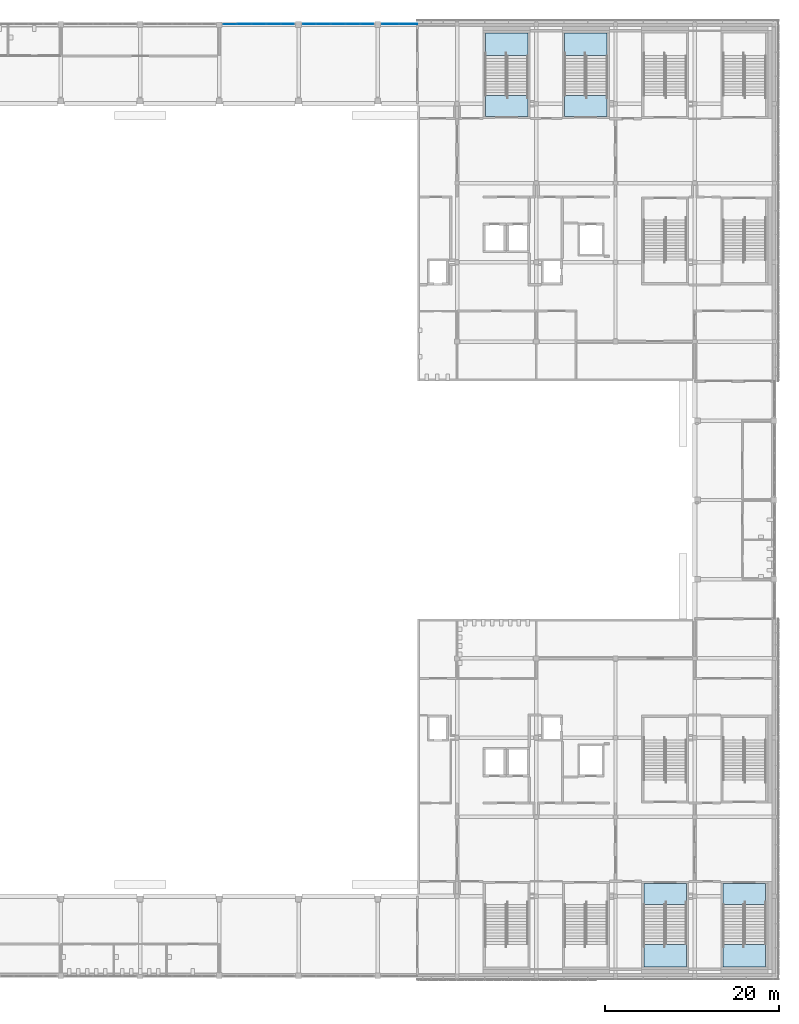
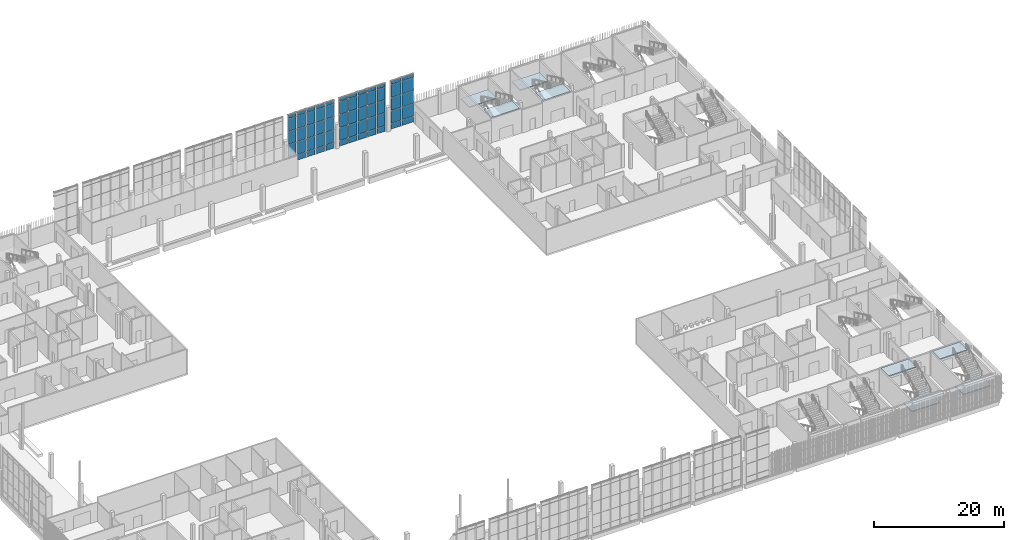
# One storey, part 37 of 91: 59 plates, 8 slabs, 7 elements without a shape of their own.
"""IFC4 building model written with IfcOpenShell, lengths in metres."""

from ifc_helpers import new_model, si_unit, direction, frame, origin, origin_2d, place, context, subcontext, project, spatial, polyline, rectangle, outline, extrude, material, layer, layer_set, type_object, element, aggregate, save


model = new_model("IFC4")

# Units and contexts
model_context = context("Model", 3, precision=1e-05, world=origin(), true_north=direction((0.0, 1.0)))
body_context = subcontext(model_context, "Body", "Model", "MODEL_VIEW")
ifc_project = project(units=[si_unit("LENGTHUNIT", "METRE"), si_unit("AREAUNIT", "SQUARE_METRE"), si_unit("VOLUMEUNIT", "CUBIC_METRE"), si_unit("PLANEANGLEUNIT", "RADIAN"), si_unit("MASSUNIT", "GRAM", prefix="KILO")], contexts=[model_context])

# Site, building, storey
site_placement = place(None, origin())
site = spatial("IfcSite", under=ifc_project, at=site_placement, CompositionType="ELEMENT")
building_placement = place(site_placement, origin())
building = spatial("IfcBuilding", under=site, at=building_placement, Name="Shirokan Park Arena", CompositionType="ELEMENT")
storey_placement = place(building_placement, frame((0.0, 0.0, 24.570068359375)))
storey = spatial("IfcBuildingStorey", under=building, at=storey_placement, Name="L05", CompositionType="ELEMENT", Elevation=24.570068359375)

# Curtain wall, plates
ifc_material_1 = material(Name="Steel and glass curtain wall", Category="steel")
ifc_layer_1 = layer(ifc_material_1, 0.199951171875)
ifc_layer_set_1 = layer_set([ifc_layer_1], Name="Steel and glass curtain wall 200 mm")
curtain_wall_type = type_object("IfcCurtainWallType", Name="Curtain wall hall bay 200", PredefinedType="NOTDEFINED", material=ifc_layer_set_1)
curtain_wall_1_placement = place(storey_placement, origin())
curtain_wall_1 = element("IfcCurtainWall", 1, at=curtain_wall_1_placement, inside=storey, type_object=curtain_wall_type, Name="Curtain wall north bay 5 L05", PredefinedType="NOTDEFINED")
ifc_material_2 = material(Name="Toughened glass", Category="glass")
ifc_layer_2 = layer(ifc_material_2, 0.012939453125, Name="Toughened glass")
ifc_material_3 = material(Name="Interlayer film")
ifc_layer_3 = layer(ifc_material_3, 0.001953125, Name="Interlayer film")
ifc_layer_4 = layer(ifc_material_2, 0.012939453125, Name="Toughened glass")
ifc_layer_set_2 = layer_set([ifc_layer_2, ifc_layer_3, ifc_layer_4], Name="Toughened glass + Interlayer film")
plate_type_1 = type_object("IfcPlateType", Name="Laminated glass panel 28", PredefinedType="CURTAIN_PANEL", material=ifc_layer_set_2)
plate_1_placement = place(storey_placement, frame((103.643798828125, 109.25, 1.1201171875), z_axis=(0.0, 0.0, 1.0), x_axis=(-1.0, 0.0, 0.0)))
plate_1 = element("IfcPlate", 2, at=plate_1_placement, type_object=plate_type_1, Name="CW5 panel 1.2", PredefinedType="CURTAIN_PANEL", context=body_context, shape_type="SweptSolid", body=[
    extrude(rectangle(XDim=2.012451171875, YDim=0.028076171875, at=origin_2d()), origin(), (0.0, 0.0, 1.0), 2.393310546875),
])
plate_2_placement = place(storey_placement, frame((103.643798828125, 109.25, 3.55322265625), z_axis=(0.0, 0.0, 1.0), x_axis=(-1.0, 0.0, 0.0)))
plate_2 = element("IfcPlate", 3, at=plate_2_placement, type_object=plate_type_1, Name="CW5 panel 1.3", PredefinedType="CURTAIN_PANEL", context=body_context, shape_type="SweptSolid", body=[
    extrude(rectangle(XDim=2.012451171875, YDim=0.028076171875, at=origin_2d()), origin(), (0.0, 0.0, 1.0), 2.393310546875),
])
plate_3_placement = place(storey_placement, frame((103.643798828125, 109.25, 5.98681640625), z_axis=(0.0, 0.0, 1.0), x_axis=(-1.0, 0.0, 0.0)))
plate_3 = element("IfcPlate", 4, at=plate_3_placement, type_object=plate_type_1, Name="CW5 panel 1.4", PredefinedType="CURTAIN_PANEL", context=body_context, shape_type="SweptSolid", body=[
    extrude(rectangle(XDim=2.012451171875, YDim=0.028076171875, at=origin_2d()), origin(), (0.0, 0.0, 1.0), 2.393310546875),
])
plate_4_placement = place(storey_placement, frame((103.643798828125, 109.25, 8.419921875), z_axis=(0.0, 0.0, 1.0), x_axis=(-1.0, 0.0, 0.0)))
plate_4 = element("IfcPlate", 5, at=plate_4_placement, type_object=plate_type_1, Name="CW5 panel 1.5", PredefinedType="CURTAIN_PANEL", context=body_context, shape_type="SweptSolid", body=[
    extrude(rectangle(XDim=2.012451171875, YDim=0.028076171875, at=origin_2d()), origin(), (0.0, 0.0, 1.0), 0.590087890625),
])
plate_5_placement = place(storey_placement, frame((101.53125, 109.25, 1.1201171875), z_axis=(0.0, 0.0, 1.0), x_axis=(-1.0, 0.0, 0.0)))
plate_5 = element("IfcPlate", 6, at=plate_5_placement, type_object=plate_type_1, Name="CW5 panel 2.2", PredefinedType="CURTAIN_PANEL", context=body_context, shape_type="SweptSolid", body=[
    extrude(rectangle(XDim=1.8125, YDim=0.028076171875, at=origin_2d()), origin(), (0.0, 0.0, 1.0), 2.393310546875),
])
plate_6_placement = place(storey_placement, frame((101.53125, 109.25, 3.55322265625), z_axis=(0.0, 0.0, 1.0), x_axis=(-1.0, 0.0, 0.0)))
plate_6 = element("IfcPlate", 7, at=plate_6_placement, type_object=plate_type_1, Name="CW5 panel 2.3", PredefinedType="CURTAIN_PANEL", context=body_context, shape_type="SweptSolid", body=[
    extrude(rectangle(XDim=1.8125, YDim=0.028076171875, at=origin_2d()), origin(), (0.0, 0.0, 1.0), 2.393310546875),
])
plate_7_placement = place(storey_placement, frame((101.53125, 109.25, 5.98681640625), z_axis=(0.0, 0.0, 1.0), x_axis=(-1.0, 0.0, 0.0)))
plate_7 = element("IfcPlate", 8, at=plate_7_placement, type_object=plate_type_1, Name="CW5 panel 2.4", PredefinedType="CURTAIN_PANEL", context=body_context, shape_type="SweptSolid", body=[
    extrude(rectangle(XDim=1.8125, YDim=0.028076171875, at=origin_2d()), origin(), (0.0, 0.0, 1.0), 2.393310546875),
])
plate_8_placement = place(storey_placement, frame((101.53125, 109.25, 8.419921875), z_axis=(0.0, 0.0, 1.0), x_axis=(-1.0, 0.0, 0.0)))
plate_8 = element("IfcPlate", 9, at=plate_8_placement, type_object=plate_type_1, Name="CW5 panel 2.5", PredefinedType="CURTAIN_PANEL", context=body_context, shape_type="SweptSolid", body=[
    extrude(rectangle(XDim=1.8125, YDim=0.028076171875, at=origin_2d()), origin(), (0.0, 0.0, 1.0), 0.590087890625),
])

curtain_wall_2_placement = place(storey_placement, origin())
curtain_wall_2 = element("IfcCurtainWall", 10, at=curtain_wall_2_placement, inside=storey, type_object=curtain_wall_type, Name="Curtain wall north bay 6 L05", PredefinedType="NOTDEFINED")
plate_9_placement = place(storey_placement, frame((98.8798828125, 109.25, 1.1201171875), z_axis=(0.0, 0.0, 1.0), x_axis=(-1.0, 0.0, 0.0)))
plate_9 = element("IfcPlate", 11, at=plate_9_placement, type_object=plate_type_1, Name="CW5 panel 1.2", PredefinedType="CURTAIN_PANEL", context=body_context, shape_type="SweptSolid", body=[
    extrude(rectangle(XDim=1.389892578125, YDim=0.028076171875, at=origin_2d()), origin(), (0.0, 0.0, 1.0), 2.393310546875),
])
plate_10_placement = place(storey_placement, frame((98.8798828125, 109.25, 3.55322265625), z_axis=(0.0, 0.0, 1.0), x_axis=(-1.0, 0.0, 0.0)))
plate_10 = element("IfcPlate", 12, at=plate_10_placement, type_object=plate_type_1, Name="CW5 panel 1.3", PredefinedType="CURTAIN_PANEL", context=body_context, shape_type="SweptSolid", body=[
    extrude(rectangle(XDim=1.389892578125, YDim=0.028076171875, at=origin_2d()), origin(), (0.0, 0.0, 1.0), 2.393310546875),
])
plate_11_placement = place(storey_placement, frame((98.8798828125, 109.25, 5.98681640625), z_axis=(0.0, 0.0, 1.0), x_axis=(-1.0, 0.0, 0.0)))
plate_11 = element("IfcPlate", 13, at=plate_11_placement, type_object=plate_type_1, Name="CW5 panel 1.4", PredefinedType="CURTAIN_PANEL", context=body_context, shape_type="SweptSolid", body=[
    extrude(rectangle(XDim=1.389892578125, YDim=0.028076171875, at=origin_2d()), origin(), (0.0, 0.0, 1.0), 2.393310546875),
])
plate_12_placement = place(storey_placement, frame((98.8798828125, 109.25, 8.419921875), z_axis=(0.0, 0.0, 1.0), x_axis=(-1.0, 0.0, 0.0)))
plate_12 = element("IfcPlate", 14, at=plate_12_placement, type_object=plate_type_1, Name="CW5 panel 1.5", PredefinedType="CURTAIN_PANEL", context=body_context, shape_type="SweptSolid", body=[
    extrude(rectangle(XDim=1.389892578125, YDim=0.028076171875, at=origin_2d()), origin(), (0.0, 0.0, 1.0), 0.590087890625),
])
plate_13_placement = place(storey_placement, frame((97.239990234375, 109.25, 1.1201171875), z_axis=(0.0, 0.0, 1.0), x_axis=(-1.0, 0.0, 0.0)))
plate_13 = element("IfcPlate", 15, at=plate_13_placement, type_object=plate_type_1, Name="CW5 panel 2.2", PredefinedType="CURTAIN_PANEL", context=body_context, shape_type="SweptSolid", body=[
    extrude(rectangle(XDim=1.489990234375, YDim=0.028076171875, at=origin_2d()), origin(), (0.0, 0.0, 1.0), 2.393310546875),
])
plate_14_placement = place(storey_placement, frame((97.239990234375, 109.25, 3.55322265625), z_axis=(0.0, 0.0, 1.0), x_axis=(-1.0, 0.0, 0.0)))
plate_14 = element("IfcPlate", 16, at=plate_14_placement, type_object=plate_type_1, Name="CW5 panel 2.3", PredefinedType="CURTAIN_PANEL", context=body_context, shape_type="SweptSolid", body=[
    extrude(rectangle(XDim=1.489990234375, YDim=0.028076171875, at=origin_2d()), origin(), (0.0, 0.0, 1.0), 2.393310546875),
])
plate_15_placement = place(storey_placement, frame((97.239990234375, 109.25, 5.98681640625), z_axis=(0.0, 0.0, 1.0), x_axis=(-1.0, 0.0, 0.0)))
plate_15 = element("IfcPlate", 17, at=plate_15_placement, type_object=plate_type_1, Name="CW5 panel 2.4", PredefinedType="CURTAIN_PANEL", context=body_context, shape_type="SweptSolid", body=[
    extrude(rectangle(XDim=1.489990234375, YDim=0.028076171875, at=origin_2d()), origin(), (0.0, 0.0, 1.0), 2.393310546875),
])
plate_16_placement = place(storey_placement, frame((97.239990234375, 109.25, 8.419921875), z_axis=(0.0, 0.0, 1.0), x_axis=(-1.0, 0.0, 0.0)))
plate_16 = element("IfcPlate", 18, at=plate_16_placement, type_object=plate_type_1, Name="CW5 panel 2.5", PredefinedType="CURTAIN_PANEL", context=body_context, shape_type="SweptSolid", body=[
    extrude(rectangle(XDim=1.489990234375, YDim=0.028076171875, at=origin_2d()), origin(), (0.0, 0.0, 1.0), 0.590087890625),
])
plate_17_placement = place(storey_placement, frame((95.550048828125, 109.25, 1.1201171875), z_axis=(0.0, 0.0, 1.0), x_axis=(-1.0, 0.0, 0.0)))
plate_17 = element("IfcPlate", 19, at=plate_17_placement, type_object=plate_type_1, Name="CW5 panel 3.2", PredefinedType="CURTAIN_PANEL", context=body_context, shape_type="SweptSolid", body=[
    extrude(rectangle(XDim=1.489990234375, YDim=0.028076171875, at=origin_2d()), origin(), (0.0, 0.0, 1.0), 2.393310546875),
])
plate_18_placement = place(storey_placement, frame((95.550048828125, 109.25, 3.55322265625), z_axis=(0.0, 0.0, 1.0), x_axis=(-1.0, 0.0, 0.0)))
plate_18 = element("IfcPlate", 20, at=plate_18_placement, type_object=plate_type_1, Name="CW5 panel 3.3", PredefinedType="CURTAIN_PANEL", context=body_context, shape_type="SweptSolid", body=[
    extrude(rectangle(XDim=1.489990234375, YDim=0.028076171875, at=origin_2d()), origin(), (0.0, 0.0, 1.0), 2.393310546875),
])
plate_19_placement = place(storey_placement, frame((95.550048828125, 109.25, 5.98681640625), z_axis=(0.0, 0.0, 1.0), x_axis=(-1.0, 0.0, 0.0)))
plate_19 = element("IfcPlate", 21, at=plate_19_placement, type_object=plate_type_1, Name="CW5 panel 3.4", PredefinedType="CURTAIN_PANEL", context=body_context, shape_type="SweptSolid", body=[
    extrude(rectangle(XDim=1.489990234375, YDim=0.028076171875, at=origin_2d()), origin(), (0.0, 0.0, 1.0), 2.393310546875),
])
plate_20_placement = place(storey_placement, frame((95.550048828125, 109.25, 8.419921875), z_axis=(0.0, 0.0, 1.0), x_axis=(-1.0, 0.0, 0.0)))
plate_20 = element("IfcPlate", 22, at=plate_20_placement, type_object=plate_type_1, Name="CW5 panel 3.5", PredefinedType="CURTAIN_PANEL", context=body_context, shape_type="SweptSolid", body=[
    extrude(rectangle(XDim=1.489990234375, YDim=0.028076171875, at=origin_2d()), origin(), (0.0, 0.0, 1.0), 0.590087890625),
])
plate_21_placement = place(storey_placement, frame((93.860107421875, 109.25, 1.1201171875), z_axis=(0.0, 0.0, 1.0), x_axis=(-1.0, 0.0, 0.0)))
plate_21 = element("IfcPlate", 23, at=plate_21_placement, type_object=plate_type_1, Name="CW5 panel 4.2", PredefinedType="CURTAIN_PANEL", context=body_context, shape_type="SweptSolid", body=[
    extrude(rectangle(XDim=1.489990234375, YDim=0.028076171875, at=origin_2d()), origin(), (0.0, 0.0, 1.0), 2.393310546875),
])
plate_22_placement = place(storey_placement, frame((93.860107421875, 109.25, 3.55322265625), z_axis=(0.0, 0.0, 1.0), x_axis=(-1.0, 0.0, 0.0)))
plate_22 = element("IfcPlate", 24, at=plate_22_placement, type_object=plate_type_1, Name="CW5 panel 4.3", PredefinedType="CURTAIN_PANEL", context=body_context, shape_type="SweptSolid", body=[
    extrude(rectangle(XDim=1.489990234375, YDim=0.028076171875, at=origin_2d()), origin(), (0.0, 0.0, 1.0), 2.393310546875),
])
plate_23_placement = place(storey_placement, frame((93.860107421875, 109.25, 5.98681640625), z_axis=(0.0, 0.0, 1.0), x_axis=(-1.0, 0.0, 0.0)))
plate_23 = element("IfcPlate", 25, at=plate_23_placement, type_object=plate_type_1, Name="CW5 panel 4.4", PredefinedType="CURTAIN_PANEL", context=body_context, shape_type="SweptSolid", body=[
    extrude(rectangle(XDim=1.489990234375, YDim=0.028076171875, at=origin_2d()), origin(), (0.0, 0.0, 1.0), 2.393310546875),
])
plate_24_placement = place(storey_placement, frame((93.860107421875, 109.25, 8.419921875), z_axis=(0.0, 0.0, 1.0), x_axis=(-1.0, 0.0, 0.0)))
plate_24 = element("IfcPlate", 26, at=plate_24_placement, type_object=plate_type_1, Name="CW5 panel 4.5", PredefinedType="CURTAIN_PANEL", context=body_context, shape_type="SweptSolid", body=[
    extrude(rectangle(XDim=1.489990234375, YDim=0.028076171875, at=origin_2d()), origin(), (0.0, 0.0, 1.0), 0.590087890625),
])
plate_25_placement = place(storey_placement, frame((92.219970703125, 109.25, 1.1201171875), z_axis=(0.0, 0.0, 1.0), x_axis=(-1.0, 0.0, 0.0)))
plate_25 = element("IfcPlate", 27, at=plate_25_placement, type_object=plate_type_1, Name="CW5 panel 5.2", PredefinedType="CURTAIN_PANEL", context=body_context, shape_type="SweptSolid", body=[
    extrude(rectangle(XDim=1.389892578125, YDim=0.028076171875, at=origin_2d()), origin(), (0.0, 0.0, 1.0), 2.393310546875),
])
plate_26_placement = place(storey_placement, frame((92.219970703125, 109.25, 3.55322265625), z_axis=(0.0, 0.0, 1.0), x_axis=(-1.0, 0.0, 0.0)))
plate_26 = element("IfcPlate", 28, at=plate_26_placement, type_object=plate_type_1, Name="CW5 panel 5.3", PredefinedType="CURTAIN_PANEL", context=body_context, shape_type="SweptSolid", body=[
    extrude(rectangle(XDim=1.389892578125, YDim=0.028076171875, at=origin_2d()), origin(), (0.0, 0.0, 1.0), 2.393310546875),
])
plate_27_placement = place(storey_placement, frame((92.219970703125, 109.25, 5.98681640625), z_axis=(0.0, 0.0, 1.0), x_axis=(-1.0, 0.0, 0.0)))
plate_27 = element("IfcPlate", 29, at=plate_27_placement, type_object=plate_type_1, Name="CW5 panel 5.4", PredefinedType="CURTAIN_PANEL", context=body_context, shape_type="SweptSolid", body=[
    extrude(rectangle(XDim=1.389892578125, YDim=0.028076171875, at=origin_2d()), origin(), (0.0, 0.0, 1.0), 2.393310546875),
])
plate_28_placement = place(storey_placement, frame((92.219970703125, 109.25, 8.419921875), z_axis=(0.0, 0.0, 1.0), x_axis=(-1.0, 0.0, 0.0)))
plate_28 = element("IfcPlate", 30, at=plate_28_placement, type_object=plate_type_1, Name="CW5 panel 5.5", PredefinedType="CURTAIN_PANEL", context=body_context, shape_type="SweptSolid", body=[
    extrude(rectangle(XDim=1.389892578125, YDim=0.028076171875, at=origin_2d()), origin(), (0.0, 0.0, 1.0), 0.590087890625),
])

curtain_wall_3_placement = place(storey_placement, origin())
curtain_wall_3 = element("IfcCurtainWall", 31, at=curtain_wall_3_placement, inside=storey, type_object=curtain_wall_type, Name="Curtain wall north bay 7 L05", PredefinedType="NOTDEFINED")
plate_29_placement = place(storey_placement, frame((89.780029296875, 109.25, 1.1201171875), z_axis=(0.0, 0.0, 1.0), x_axis=(-1.0, 0.0, 0.0)))
plate_29 = element("IfcPlate", 32, at=plate_29_placement, type_object=plate_type_1, Name="CW5 panel 1.2", PredefinedType="CURTAIN_PANEL", context=body_context, shape_type="SweptSolid", body=[
    extrude(rectangle(XDim=1.389892578125, YDim=0.028076171875, at=origin_2d()), origin(), (0.0, 0.0, 1.0), 2.393310546875),
])
plate_30_placement = place(storey_placement, frame((89.780029296875, 109.25, 3.55322265625), z_axis=(0.0, 0.0, 1.0), x_axis=(-1.0, 0.0, 0.0)))
plate_30 = element("IfcPlate", 33, at=plate_30_placement, type_object=plate_type_1, Name="CW5 panel 1.3", PredefinedType="CURTAIN_PANEL", context=body_context, shape_type="SweptSolid", body=[
    extrude(rectangle(XDim=1.389892578125, YDim=0.028076171875, at=origin_2d()), origin(), (0.0, 0.0, 1.0), 2.393310546875),
])
plate_31_placement = place(storey_placement, frame((89.780029296875, 109.25, 5.98681640625), z_axis=(0.0, 0.0, 1.0), x_axis=(-1.0, 0.0, 0.0)))
plate_31 = element("IfcPlate", 34, at=plate_31_placement, type_object=plate_type_1, Name="CW5 panel 1.4", PredefinedType="CURTAIN_PANEL", context=body_context, shape_type="SweptSolid", body=[
    extrude(rectangle(XDim=1.389892578125, YDim=0.028076171875, at=origin_2d()), origin(), (0.0, 0.0, 1.0), 2.393310546875),
])
plate_32_placement = place(storey_placement, frame((89.780029296875, 109.25, 8.419921875), z_axis=(0.0, 0.0, 1.0), x_axis=(-1.0, 0.0, 0.0)))
plate_32 = element("IfcPlate", 35, at=plate_32_placement, type_object=plate_type_1, Name="CW5 panel 1.5", PredefinedType="CURTAIN_PANEL", context=body_context, shape_type="SweptSolid", body=[
    extrude(rectangle(XDim=1.389892578125, YDim=0.028076171875, at=origin_2d()), origin(), (0.0, 0.0, 1.0), 0.590087890625),
])
plate_33_placement = place(storey_placement, frame((88.139892578125, 109.25, 1.1201171875), z_axis=(0.0, 0.0, 1.0), x_axis=(-1.0, 0.0, 0.0)))
plate_33 = element("IfcPlate", 36, at=plate_33_placement, type_object=plate_type_1, Name="CW5 panel 2.2", PredefinedType="CURTAIN_PANEL", context=body_context, shape_type="SweptSolid", body=[
    extrude(rectangle(XDim=1.489990234375, YDim=0.028076171875, at=origin_2d()), origin(), (0.0, 0.0, 1.0), 2.393310546875),
])
plate_34_placement = place(storey_placement, frame((88.139892578125, 109.25, 3.55322265625), z_axis=(0.0, 0.0, 1.0), x_axis=(-1.0, 0.0, 0.0)))
plate_34 = element("IfcPlate", 37, at=plate_34_placement, type_object=plate_type_1, Name="CW5 panel 2.3", PredefinedType="CURTAIN_PANEL", context=body_context, shape_type="SweptSolid", body=[
    extrude(rectangle(XDim=1.489990234375, YDim=0.028076171875, at=origin_2d()), origin(), (0.0, 0.0, 1.0), 2.393310546875),
])
plate_35_placement = place(storey_placement, frame((88.139892578125, 109.25, 5.98681640625), z_axis=(0.0, 0.0, 1.0), x_axis=(-1.0, 0.0, 0.0)))
plate_35 = element("IfcPlate", 38, at=plate_35_placement, type_object=plate_type_1, Name="CW5 panel 2.4", PredefinedType="CURTAIN_PANEL", context=body_context, shape_type="SweptSolid", body=[
    extrude(rectangle(XDim=1.489990234375, YDim=0.028076171875, at=origin_2d()), origin(), (0.0, 0.0, 1.0), 2.393310546875),
])
plate_36_placement = place(storey_placement, frame((88.139892578125, 109.25, 8.419921875), z_axis=(0.0, 0.0, 1.0), x_axis=(-1.0, 0.0, 0.0)))
plate_36 = element("IfcPlate", 39, at=plate_36_placement, type_object=plate_type_1, Name="CW5 panel 2.5", PredefinedType="CURTAIN_PANEL", context=body_context, shape_type="SweptSolid", body=[
    extrude(rectangle(XDim=1.489990234375, YDim=0.028076171875, at=origin_2d()), origin(), (0.0, 0.0, 1.0), 0.590087890625),
])
plate_37_placement = place(storey_placement, frame((86.449951171875, 109.25, 1.1201171875), z_axis=(0.0, 0.0, 1.0), x_axis=(-1.0, 0.0, 0.0)))
plate_37 = element("IfcPlate", 40, at=plate_37_placement, type_object=plate_type_1, Name="CW5 panel 3.2", PredefinedType="CURTAIN_PANEL", context=body_context, shape_type="SweptSolid", body=[
    extrude(rectangle(XDim=1.489990234375, YDim=0.028076171875, at=origin_2d()), origin(), (0.0, 0.0, 1.0), 2.393310546875),
])
plate_38_placement = place(storey_placement, frame((86.449951171875, 109.25, 3.55322265625), z_axis=(0.0, 0.0, 1.0), x_axis=(-1.0, 0.0, 0.0)))
plate_38 = element("IfcPlate", 41, at=plate_38_placement, type_object=plate_type_1, Name="CW5 panel 3.3", PredefinedType="CURTAIN_PANEL", context=body_context, shape_type="SweptSolid", body=[
    extrude(rectangle(XDim=1.489990234375, YDim=0.028076171875, at=origin_2d()), origin(), (0.0, 0.0, 1.0), 2.393310546875),
])
plate_39_placement = place(storey_placement, frame((86.449951171875, 109.25, 5.98681640625), z_axis=(0.0, 0.0, 1.0), x_axis=(-1.0, 0.0, 0.0)))
plate_39 = element("IfcPlate", 42, at=plate_39_placement, type_object=plate_type_1, Name="CW5 panel 3.4", PredefinedType="CURTAIN_PANEL", context=body_context, shape_type="SweptSolid", body=[
    extrude(rectangle(XDim=1.489990234375, YDim=0.028076171875, at=origin_2d()), origin(), (0.0, 0.0, 1.0), 2.393310546875),
])
plate_40_placement = place(storey_placement, frame((86.449951171875, 109.25, 8.419921875), z_axis=(0.0, 0.0, 1.0), x_axis=(-1.0, 0.0, 0.0)))
plate_40 = element("IfcPlate", 43, at=plate_40_placement, type_object=plate_type_1, Name="CW5 panel 3.5", PredefinedType="CURTAIN_PANEL", context=body_context, shape_type="SweptSolid", body=[
    extrude(rectangle(XDim=1.489990234375, YDim=0.028076171875, at=origin_2d()), origin(), (0.0, 0.0, 1.0), 0.590087890625),
])
plate_41_placement = place(storey_placement, frame((84.760009765625, 109.25, 1.1201171875), z_axis=(0.0, 0.0, 1.0), x_axis=(-1.0, 0.0, 0.0)))
plate_41 = element("IfcPlate", 44, at=plate_41_placement, type_object=plate_type_1, Name="CW5 panel 4.2", PredefinedType="CURTAIN_PANEL", context=body_context, shape_type="SweptSolid", body=[
    extrude(rectangle(XDim=1.489990234375, YDim=0.028076171875, at=origin_2d()), origin(), (0.0, 0.0, 1.0), 2.393310546875),
])
plate_42_placement = place(storey_placement, frame((84.760009765625, 109.25, 3.55322265625), z_axis=(0.0, 0.0, 1.0), x_axis=(-1.0, 0.0, 0.0)))
plate_42 = element("IfcPlate", 45, at=plate_42_placement, type_object=plate_type_1, Name="CW5 panel 4.3", PredefinedType="CURTAIN_PANEL", context=body_context, shape_type="SweptSolid", body=[
    extrude(rectangle(XDim=1.489990234375, YDim=0.028076171875, at=origin_2d()), origin(), (0.0, 0.0, 1.0), 2.393310546875),
])
plate_43_placement = place(storey_placement, frame((84.760009765625, 109.25, 5.98681640625), z_axis=(0.0, 0.0, 1.0), x_axis=(-1.0, 0.0, 0.0)))
plate_43 = element("IfcPlate", 46, at=plate_43_placement, type_object=plate_type_1, Name="CW5 panel 4.4", PredefinedType="CURTAIN_PANEL", context=body_context, shape_type="SweptSolid", body=[
    extrude(rectangle(XDim=1.489990234375, YDim=0.028076171875, at=origin_2d()), origin(), (0.0, 0.0, 1.0), 2.393310546875),
])
plate_44_placement = place(storey_placement, frame((84.760009765625, 109.25, 8.419921875), z_axis=(0.0, 0.0, 1.0), x_axis=(-1.0, 0.0, 0.0)))
plate_44 = element("IfcPlate", 47, at=plate_44_placement, type_object=plate_type_1, Name="CW5 panel 4.5", PredefinedType="CURTAIN_PANEL", context=body_context, shape_type="SweptSolid", body=[
    extrude(rectangle(XDim=1.489990234375, YDim=0.028076171875, at=origin_2d()), origin(), (0.0, 0.0, 1.0), 0.590087890625),
])
plate_45_placement = place(storey_placement, frame((83.1201171875, 109.25, 1.1201171875), z_axis=(0.0, 0.0, 1.0), x_axis=(-1.0, 0.0, 0.0)))
plate_45 = element("IfcPlate", 48, at=plate_45_placement, type_object=plate_type_1, Name="CW5 panel 5.2", PredefinedType="CURTAIN_PANEL", context=body_context, shape_type="SweptSolid", body=[
    extrude(rectangle(XDim=1.389892578125, YDim=0.028076171875, at=origin_2d()), origin(), (0.0, 0.0, 1.0), 2.393310546875),
])
plate_46_placement = place(storey_placement, frame((83.1201171875, 109.25, 3.55322265625), z_axis=(0.0, 0.0, 1.0), x_axis=(-1.0, 0.0, 0.0)))
plate_46 = element("IfcPlate", 49, at=plate_46_placement, type_object=plate_type_1, Name="CW5 panel 5.3", PredefinedType="CURTAIN_PANEL", context=body_context, shape_type="SweptSolid", body=[
    extrude(rectangle(XDim=1.389892578125, YDim=0.028076171875, at=origin_2d()), origin(), (0.0, 0.0, 1.0), 2.393310546875),
])
plate_47_placement = place(storey_placement, frame((83.1201171875, 109.25, 5.98681640625), z_axis=(0.0, 0.0, 1.0), x_axis=(-1.0, 0.0, 0.0)))
plate_47 = element("IfcPlate", 50, at=plate_47_placement, type_object=plate_type_1, Name="CW5 panel 5.4", PredefinedType="CURTAIN_PANEL", context=body_context, shape_type="SweptSolid", body=[
    extrude(rectangle(XDim=1.389892578125, YDim=0.028076171875, at=origin_2d()), origin(), (0.0, 0.0, 1.0), 2.393310546875),
])
plate_48_placement = place(storey_placement, frame((83.1201171875, 109.25, 8.419921875), z_axis=(0.0, 0.0, 1.0), x_axis=(-1.0, 0.0, 0.0)))
plate_48 = element("IfcPlate", 51, at=plate_48_placement, type_object=plate_type_1, Name="CW5 panel 5.5", PredefinedType="CURTAIN_PANEL", context=body_context, shape_type="SweptSolid", body=[
    extrude(rectangle(XDim=1.389892578125, YDim=0.028076171875, at=origin_2d()), origin(), (0.0, 0.0, 1.0), 0.590087890625),
])

# Plate
ifc_layer_5 = layer(ifc_material_2, 0.01708984375, Name="Toughened glass")
ifc_layer_6 = layer(ifc_material_3, 0.001953125, Name="Interlayer film")
ifc_layer_7 = layer(ifc_material_2, 0.01708984375, Name="Toughened glass")
ifc_layer_set_3 = layer_set([ifc_layer_5, ifc_layer_6, ifc_layer_7], Name="Toughened glass + Interlayer film")
plate_type_2 = type_object("IfcPlateType", Name="Laminated safety glass panel 36", PredefinedType="CURTAIN_PANEL", material=ifc_layer_set_3)
plate_49_placement = place(storey_placement, frame((103.643798828125, 109.25, 0.039794921875), z_axis=(0.0, 0.0, 1.0), x_axis=(-1.0, 0.0, 0.0)))
plate_49 = element("IfcPlate", 52, at=plate_49_placement, type_object=plate_type_2, Name="CW5 panel 1.1", PredefinedType="CURTAIN_PANEL", context=body_context, shape_type="SweptSolid", body=[
    extrude(rectangle(XDim=2.012451171875, YDim=0.035888671875, at=origin_2d()), origin(), (0.0, 0.0, 1.0), 1.0400390625),
])

plate_50_placement = place(storey_placement, frame((101.53125, 109.25, 0.039794921875), z_axis=(0.0, 0.0, 1.0), x_axis=(-1.0, 0.0, 0.0)))
plate_50 = element("IfcPlate", 53, at=plate_50_placement, type_object=plate_type_2, Name="CW5 panel 2.1", PredefinedType="CURTAIN_PANEL", context=body_context, shape_type="SweptSolid", body=[
    extrude(rectangle(XDim=1.8125, YDim=0.035888671875, at=origin_2d()), origin(), (0.0, 0.0, 1.0), 1.0400390625),
])

aggregate(curtain_wall_1, [plate_49, plate_1, plate_2, plate_3, plate_4, plate_50, plate_5, plate_6, plate_7, plate_8])

plate_51_placement = place(storey_placement, frame((98.8798828125, 109.25, 0.039794921875), z_axis=(0.0, 0.0, 1.0), x_axis=(-1.0, 0.0, 0.0)))
plate_51 = element("IfcPlate", 54, at=plate_51_placement, type_object=plate_type_2, Name="CW5 panel 1.1", PredefinedType="CURTAIN_PANEL", context=body_context, shape_type="SweptSolid", body=[
    extrude(rectangle(XDim=1.389892578125, YDim=0.035888671875, at=origin_2d()), origin(), (0.0, 0.0, 1.0), 1.0400390625),
])

plate_52_placement = place(storey_placement, frame((97.239990234375, 109.25, 0.039794921875), z_axis=(0.0, 0.0, 1.0), x_axis=(-1.0, 0.0, 0.0)))
plate_52 = element("IfcPlate", 55, at=plate_52_placement, type_object=plate_type_2, Name="CW5 panel 2.1", PredefinedType="CURTAIN_PANEL", context=body_context, shape_type="SweptSolid", body=[
    extrude(rectangle(XDim=1.489990234375, YDim=0.035888671875, at=origin_2d()), origin(), (0.0, 0.0, 1.0), 1.0400390625),
])

plate_53_placement = place(storey_placement, frame((95.550048828125, 109.25, 0.039794921875), z_axis=(0.0, 0.0, 1.0), x_axis=(-1.0, 0.0, 0.0)))
plate_53 = element("IfcPlate", 56, at=plate_53_placement, type_object=plate_type_2, Name="CW5 panel 3.1", PredefinedType="CURTAIN_PANEL", context=body_context, shape_type="SweptSolid", body=[
    extrude(rectangle(XDim=1.489990234375, YDim=0.035888671875, at=origin_2d()), origin(), (0.0, 0.0, 1.0), 1.0400390625),
])

plate_54_placement = place(storey_placement, frame((93.860107421875, 109.25, 0.039794921875), z_axis=(0.0, 0.0, 1.0), x_axis=(-1.0, 0.0, 0.0)))
plate_54 = element("IfcPlate", 57, at=plate_54_placement, type_object=plate_type_2, Name="CW5 panel 4.1", PredefinedType="CURTAIN_PANEL", context=body_context, shape_type="SweptSolid", body=[
    extrude(rectangle(XDim=1.489990234375, YDim=0.035888671875, at=origin_2d()), origin(), (0.0, 0.0, 1.0), 1.0400390625),
])

plate_55_placement = place(storey_placement, frame((92.219970703125, 109.25, 0.039794921875), z_axis=(0.0, 0.0, 1.0), x_axis=(-1.0, 0.0, 0.0)))
plate_55 = element("IfcPlate", 58, at=plate_55_placement, type_object=plate_type_2, Name="CW5 panel 5.1", PredefinedType="CURTAIN_PANEL", context=body_context, shape_type="SweptSolid", body=[
    extrude(rectangle(XDim=1.389892578125, YDim=0.035888671875, at=origin_2d()), origin(), (0.0, 0.0, 1.0), 1.0400390625),
])

aggregate(curtain_wall_2, [plate_51, plate_9, plate_10, plate_11, plate_12, plate_52, plate_13, plate_14, plate_15, plate_16, plate_53, plate_17, plate_18, plate_19, plate_20, plate_54, plate_21, plate_22, plate_23, plate_24, plate_55, plate_25, plate_26, plate_27, plate_28])

plate_56_placement = place(storey_placement, frame((89.780029296875, 109.25, 0.039794921875), z_axis=(0.0, 0.0, 1.0), x_axis=(-1.0, 0.0, 0.0)))
plate_56 = element("IfcPlate", 59, at=plate_56_placement, type_object=plate_type_2, Name="CW5 panel 1.1", PredefinedType="CURTAIN_PANEL", context=body_context, shape_type="SweptSolid", body=[
    extrude(rectangle(XDim=1.389892578125, YDim=0.035888671875, at=origin_2d()), origin(), (0.0, 0.0, 1.0), 1.0400390625),
])

plate_57_placement = place(storey_placement, frame((88.139892578125, 109.25, 0.039794921875), z_axis=(0.0, 0.0, 1.0), x_axis=(-1.0, 0.0, 0.0)))
plate_57 = element("IfcPlate", 60, at=plate_57_placement, type_object=plate_type_2, Name="CW5 panel 2.1", PredefinedType="CURTAIN_PANEL", context=body_context, shape_type="SweptSolid", body=[
    extrude(rectangle(XDim=1.489990234375, YDim=0.035888671875, at=origin_2d()), origin(), (0.0, 0.0, 1.0), 1.0400390625),
])

plate_58_placement = place(storey_placement, frame((86.449951171875, 109.25, 0.039794921875), z_axis=(0.0, 0.0, 1.0), x_axis=(-1.0, 0.0, 0.0)))
plate_58 = element("IfcPlate", 61, at=plate_58_placement, type_object=plate_type_2, Name="CW5 panel 3.1", PredefinedType="CURTAIN_PANEL", context=body_context, shape_type="SweptSolid", body=[
    extrude(rectangle(XDim=1.489990234375, YDim=0.035888671875, at=origin_2d()), origin(), (0.0, 0.0, 1.0), 1.0400390625),
])

plate_59_placement = place(storey_placement, frame((84.760009765625, 109.25, 0.039794921875), z_axis=(0.0, 0.0, 1.0), x_axis=(-1.0, 0.0, 0.0)))
plate_59 = element("IfcPlate", 62, at=plate_59_placement, type_object=plate_type_2, Name="CW5 panel 4.1", PredefinedType="CURTAIN_PANEL", context=body_context, shape_type="SweptSolid", body=[
    extrude(rectangle(XDim=1.489990234375, YDim=0.035888671875, at=origin_2d()), origin(), (0.0, 0.0, 1.0), 1.0400390625),
])

aggregate(curtain_wall_3, [plate_56, plate_29, plate_30, plate_31, plate_32, plate_57, plate_33, plate_34, plate_35, plate_36, plate_58, plate_37, plate_38, plate_39, plate_40, plate_59, plate_41, plate_42, plate_43, plate_44, plate_45, plate_46, plate_47, plate_48])

# Stair, slabs
ifc_material_4 = material(Name="Concrete C30 precast", Category="concrete")
stair_type = type_object("IfcStairType", Name="Stair 30 risers 152 x 327 2400 wide", PredefinedType="TWO_STRAIGHT_RUN_STAIR", material=ifc_material_4)
stair_1_placement = place(storey_placement, origin())
stair_1 = element("IfcStair", 63, at=stair_1_placement, inside=storey, type_object=stair_type, Name="Exit Stair 2.A L05 to L06", PredefinedType="TWO_STRAIGHT_RUN_STAIR")
ifc_layer_8 = layer(ifc_material_4, 0.199951171875)
ifc_layer_set_4 = layer_set([ifc_layer_8], Name="Concrete C30 precast 200 mm")
slab_type = type_object("IfcSlabType", Name="Stair landing 200", PredefinedType="LANDING", material=ifc_layer_set_4)
slab_1_placement = place(storey_placement, frame((0.0, 0.0, 2.074951171875)))
slab_1 = element("IfcSlab", 64, at=slab_1_placement, type_object=slab_type, Name="ST04.6 landing 1", PredefinedType="LANDING", context=body_context, shape_type="SweptSolid", body=[
    extrude(outline(polyline([(139.75, 0.949951171875), (144.64990234375, 0.949951171875), (144.64990234375, 3.576171875), (139.75, 3.576171875), (139.75, 0.949951171875)])), origin(), (0.0, 0.0, 1.0), 0.199951171875),
])
slab_2_placement = place(storey_placement, frame((0.0, 0.0, 4.349853515625)))
slab_2 = element("IfcSlab", 65, at=slab_2_placement, type_object=slab_type, Name="ST04.6 landing 2", PredefinedType="LANDING", context=body_context, shape_type="SweptSolid", body=[
    extrude(outline(polyline([(139.75, 8.14990234375), (144.64990234375, 8.14990234375), (144.64990234375, 10.550048828125), (139.75, 10.550048828125), (139.75, 8.14990234375)])), origin(), (0.0, 0.0, 1.0), 0.2001953125),
])
aggregate(stair_1, [slab_1, slab_2])

stair_2_placement = place(storey_placement, origin())
stair_2 = element("IfcStair", 66, at=stair_2_placement, inside=storey, type_object=stair_type, Name="Exit Stair 2.B L05 to L06", PredefinedType="TWO_STRAIGHT_RUN_STAIR")
slab_3_placement = place(storey_placement, frame((0.0, 0.0, 2.074951171875)))
slab_3 = element("IfcSlab", 67, at=slab_3_placement, type_object=slab_type, Name="ST05.6 landing 1", PredefinedType="LANDING", context=body_context, shape_type="SweptSolid", body=[
    extrude(outline(polyline([(130.64990234375, 0.949951171875), (135.550048828125, 0.949951171875), (135.550048828125, 3.576171875), (130.64990234375, 3.576171875), (130.64990234375, 0.949951171875)])), origin(), (0.0, 0.0, 1.0), 0.199951171875),
])
slab_4_placement = place(storey_placement, frame((0.0, 0.0, 4.349853515625)))
slab_4 = element("IfcSlab", 68, at=slab_4_placement, type_object=slab_type, Name="ST05.6 landing 2", PredefinedType="LANDING", context=body_context, shape_type="SweptSolid", body=[
    extrude(outline(polyline([(130.64990234375, 8.14990234375), (135.550048828125, 8.14990234375), (135.550048828125, 10.550048828125), (130.64990234375, 10.550048828125), (130.64990234375, 8.14990234375)])), origin(), (0.0, 0.0, 1.0), 0.2001953125),
])
aggregate(stair_2, [slab_3, slab_4])

stair_3_placement = place(storey_placement, origin())
stair_3 = element("IfcStair", 69, at=stair_3_placement, inside=storey, type_object=stair_type, Name="Exit Stair 3.C L05 to L06", PredefinedType="TWO_STRAIGHT_RUN_STAIR")
slab_5_placement = place(storey_placement, frame((0.0, 0.0, 2.074951171875)))
slab_5 = element("IfcSlab", 70, at=slab_5_placement, type_object=slab_type, Name="ST18.6 landing 1", PredefinedType="LANDING", context=body_context, shape_type="SweptSolid", body=[
    extrude(outline(polyline([(121.550048828125, 105.623779296875), (126.449951171875, 105.623779296875), (126.449951171875, 108.25), (121.550048828125, 108.25), (121.550048828125, 105.623779296875)])), origin(), (0.0, 0.0, 1.0), 0.199951171875),
])
slab_6_placement = place(storey_placement, frame((0.0, 0.0, 4.349853515625)))
slab_6 = element("IfcSlab", 71, at=slab_6_placement, type_object=slab_type, Name="ST18.6 landing 2", PredefinedType="LANDING", context=body_context, shape_type="SweptSolid", body=[
    extrude(outline(polyline([(121.550048828125, 98.64990234375), (126.449951171875, 98.64990234375), (126.449951171875, 101.050048828125), (121.550048828125, 101.050048828125), (121.550048828125, 98.64990234375)])), origin(), (0.0, 0.0, 1.0), 0.2001953125),
])
aggregate(stair_3, [slab_5, slab_6])

stair_4_placement = place(storey_placement, origin())
stair_4 = element("IfcStair", 72, at=stair_4_placement, inside=storey, type_object=stair_type, Name="Exit Stair 3.D L05 to L06", PredefinedType="TWO_STRAIGHT_RUN_STAIR")
slab_7_placement = place(storey_placement, frame((0.0, 0.0, 2.074951171875)))
slab_7 = element("IfcSlab", 73, at=slab_7_placement, type_object=slab_type, Name="ST19.6 landing 1", PredefinedType="LANDING", context=body_context, shape_type="SweptSolid", body=[
    extrude(outline(polyline([(112.449951171875, 105.623779296875), (117.35009765625, 105.623779296875), (117.35009765625, 108.25), (112.449951171875, 108.25), (112.449951171875, 105.623779296875)])), origin(), (0.0, 0.0, 1.0), 0.199951171875),
])
slab_8_placement = place(storey_placement, frame((0.0, 0.0, 4.349853515625)))
slab_8 = element("IfcSlab", 74, at=slab_8_placement, type_object=slab_type, Name="ST19.6 landing 2", PredefinedType="LANDING", context=body_context, shape_type="SweptSolid", body=[
    extrude(outline(polyline([(112.449951171875, 98.64990234375), (117.35009765625, 98.64990234375), (117.35009765625, 101.050048828125), (112.449951171875, 101.050048828125), (112.449951171875, 98.64990234375)])), origin(), (0.0, 0.0, 1.0), 0.2001953125),
])
aggregate(stair_4, [slab_7, slab_8])

save(model, "model.ifc")
